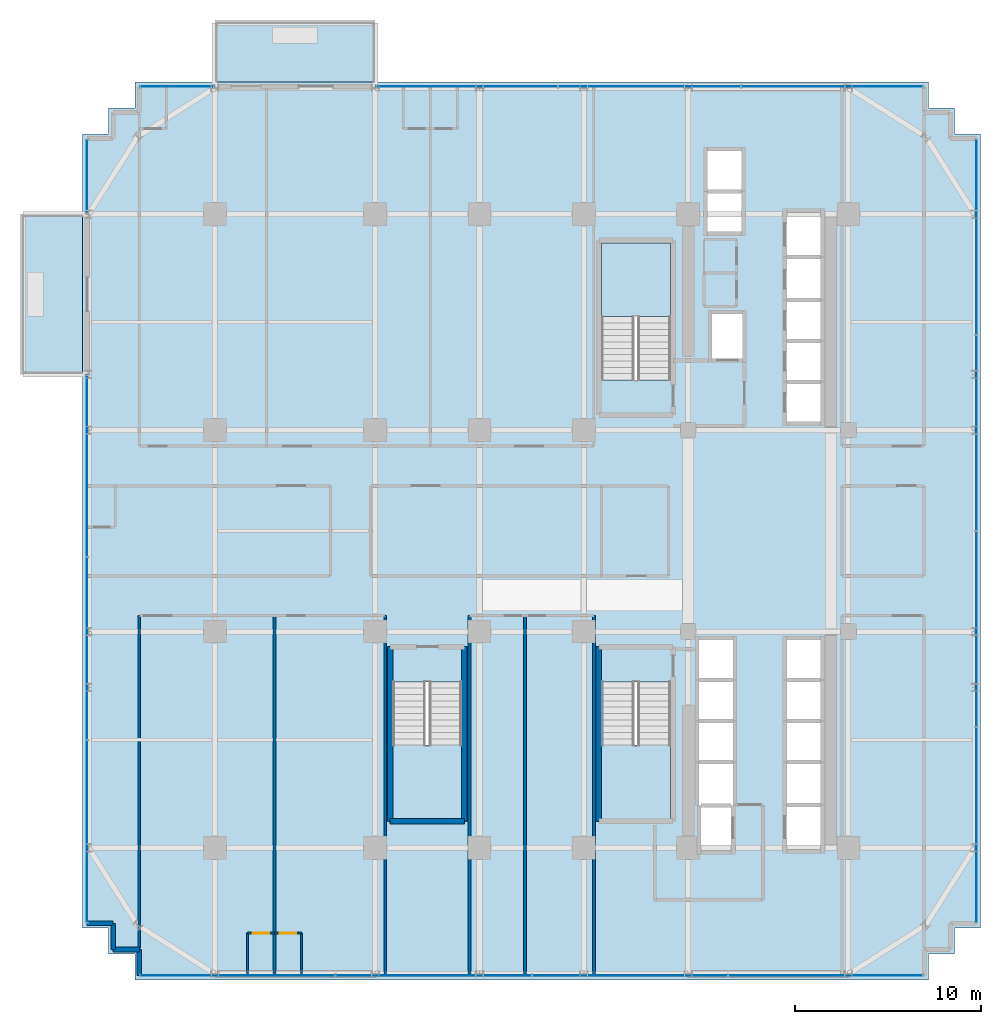
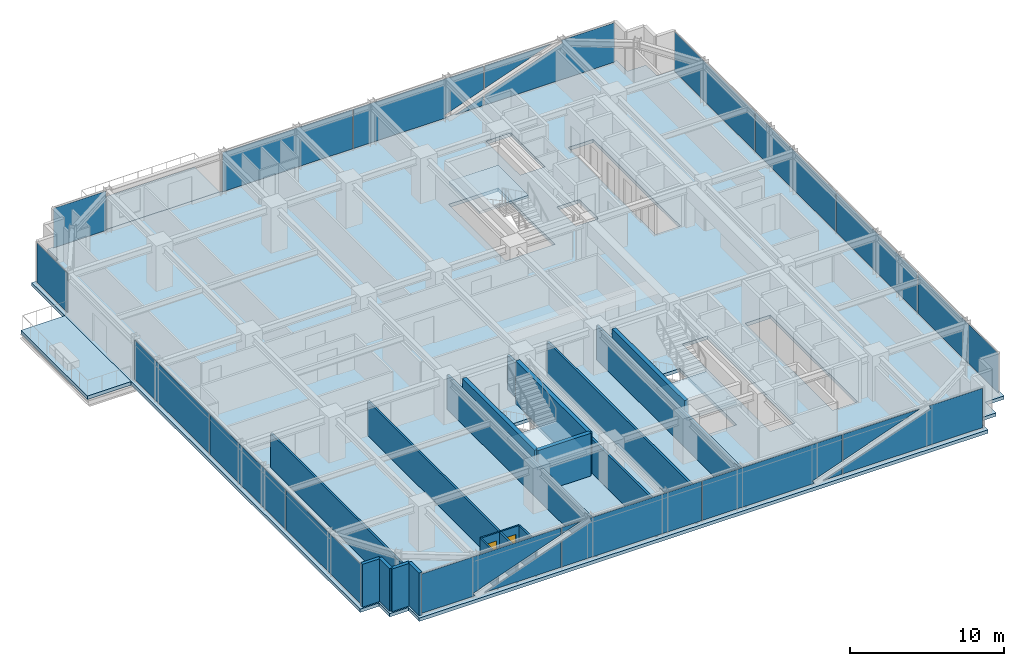
# One storey, part 27 of 35: 18 walls, 16 plates, 6 slabs, 2 doors, 2 openings, 9 elements without a shape of their own.
"""IFC4 building model written with IfcOpenShell, lengths in metres."""

from ifc_helpers import new_model, si_unit, direction, frame, frame_2d, origin, origin_2d, place, context, subcontext, project, spatial, polyline, rectangle, outline, extrude, source, transform, mapped, material, layer, layer_set, type_object, element, fill, aggregate, save


model = new_model("IFC4")

# Units and contexts
model_context = context("Model", 3, precision=1e-05, world=origin(), true_north=direction((0.0, 1.0)))
body_context = subcontext(model_context, "Body", "Model", "MODEL_VIEW")
ifc_project = project(units=[si_unit("LENGTHUNIT", "METRE"), si_unit("AREAUNIT", "SQUARE_METRE"), si_unit("VOLUMEUNIT", "CUBIC_METRE"), si_unit("PLANEANGLEUNIT", "RADIAN"), si_unit("MASSUNIT", "GRAM", prefix="KILO")], contexts=[model_context])

# Site, building, storey
site_placement = place(None, origin())
site = spatial("IfcSite", under=ifc_project, at=site_placement, CompositionType="ELEMENT")
building_placement = place(site_placement, origin())
building = spatial("IfcBuilding", under=site, at=building_placement, Name="Nahalor Promenade Grand Hotel", CompositionType="ELEMENT")
storey_placement = place(building_placement, frame((0.0, 0.0, 106.550048828125)))
storey = spatial("IfcBuildingStorey", under=building, at=storey_placement, Name="L26", CompositionType="ELEMENT", Elevation=106.550048828125)

# Curtain wall, plates
ifc_material_1 = material(Name="Anodised Bronze Aluminium EN AW-6063 T6", Category="aluminium")
curtain_wall_type = type_object("IfcCurtainWallType", Name="CW2 Typical Hotel Flush Bronze Unitised Curtain Wall", PredefinedType="USERDEFINED", material=ifc_material_1)
curtain_wall_1_placement = place(storey_placement, origin())
curtain_wall_1 = element("IfcCurtainWall", 1, at=curtain_wall_1_placement, inside=storey, type_object=curtain_wall_type, Name="L26 Curtain Wall CW-L26-S-1", ObjectType="UNITISED_CURTAIN_WALL", PredefinedType="USERDEFINED")
ifc_material_2 = material(Name="Low-E Laminated Solar Glass", Category="glass")
ifc_layer_1 = layer(ifc_material_2, 0.028076171875)
ifc_layer_set_1 = layer_set([ifc_layer_1], Name="Low-E Laminated Solar Glass")
plate_type = type_object("IfcPlateType", Name="CWP2 Bronze Low-E Vision IGU 28mm", PredefinedType="CURTAIN_PANEL", material=ifc_layer_set_1)
plate_1_placement = place(storey_placement, frame((-15.77880859375, -23.860107421875, 0.1298828125), z_axis=(0.0, 0.0, 1.0), x_axis=(1.0, 0.0, 0.0)))
plate_1 = element("IfcPlate", 2, at=plate_1_placement, type_object=plate_type, Name="CW-L26-S-1 Glazing Panel 0-0", PredefinedType="CURTAIN_PANEL", context=body_context, shape_type="SweptSolid", body=[
    extrude(outline(polyline([(-5.21630859375, 3.1201171875), (-5.21630859375, 0.0), (-1.24072265625, 0.0), (-1.3291015625, 0.246826171875), (5.21630859375, 2.591064453125), (5.21630859375, 3.1201171875), (-5.21630859375, 3.1201171875)])), frame((0.0, 0.01416015625, 0.0), z_axis=(0.0, -1.0, 0.0), x_axis=(1.0, 0.0, 0.0)), (0.0, 0.0, 1.0), 0.028076171875),
    extrude(outline(polyline([(-0.53564453125, 0.0), (5.21630859375, 0.0), (5.21630859375, 2.06005859375), (-0.53564453125, 0.0)])), frame((0.0, 0.01416015625, 0.0), z_axis=(0.0, -1.0, 0.0), x_axis=(1.0, 0.0, 0.0)), (0.0, 0.0, 1.0), 0.028076171875),
])
plate_2_placement = place(storey_placement, frame((-5.264892578125, -23.860107421875, 0.1298828125), z_axis=(0.0, 0.0, 1.0), x_axis=(1.0, 0.0, 0.0)))
plate_2 = element("IfcPlate", 3, at=plate_2_placement, type_object=plate_type, Name="CW-L26-S-1 Glazing Panel 1-0", PredefinedType="CURTAIN_PANEL", context=body_context, shape_type="SweptSolid", body=[
    extrude(outline(polyline([(5.232421875, 0.0), (5.232421875, 3.1201171875), (-3.11572265625, 3.1201171875), (-3.027099609375, 2.873046875), (-5.232421875, 2.083251953125), (-5.232421875, 0.0), (5.232421875, 0.0)])), frame((0.0, 0.01416015625, 0.0), z_axis=(0.0, -1.0, 0.0), x_axis=(1.0, 0.0, 0.0)), (0.0, 0.0, 1.0), 0.028076171875),
    extrude(outline(polyline([(-3.820556640625, 3.1201171875), (-5.232421875, 3.1201171875), (-5.232421875, 2.6142578125), (-3.820556640625, 3.1201171875)])), frame((0.0, 0.01416015625, 0.0), z_axis=(0.0, -1.0, 0.0), x_axis=(1.0, 0.0, 0.0)), (0.0, 0.0, 1.0), 0.028076171875),
])
plate_3_placement = place(storey_placement, frame((5.264892578125, -23.860107421875, 0.1298828125), z_axis=(0.0, 0.0, 1.0), x_axis=(1.0, 0.0, 0.0)))
plate_3 = element("IfcPlate", 4, at=plate_3_placement, type_object=plate_type, Name="CW-L26-S-1 Glazing Panel 2-0", PredefinedType="CURTAIN_PANEL", context=body_context, shape_type="SweptSolid", body=[
    extrude(outline(polyline([(-5.232421875, 3.1201171875), (-5.232421875, 0.0), (3.11572265625, 0.0), (3.027099609375, 0.246826171875), (5.232421875, 1.036865234375), (5.232421875, 3.1201171875), (-5.232421875, 3.1201171875)])), frame((0.0, 0.01416015625, 0.0), z_axis=(0.0, -1.0, 0.0), x_axis=(1.0, 0.0, 0.0)), (0.0, 0.0, 1.0), 0.028076171875),
    extrude(outline(polyline([(3.820556640625, 0.0), (5.232421875, 0.0), (5.232421875, 0.505615234375), (3.820556640625, 0.0)])), frame((0.0, 0.01416015625, 0.0), z_axis=(0.0, -1.0, 0.0), x_axis=(1.0, 0.0, 0.0)), (0.0, 0.0, 1.0), 0.028076171875),
])
plate_4_placement = place(storey_placement, frame((15.77880859375, -23.860107421875, 0.1298828125), z_axis=(0.0, 0.0, 1.0), x_axis=(1.0, 0.0, 0.0)))
plate_4 = element("IfcPlate", 5, at=plate_4_placement, type_object=plate_type, Name="CW-L26-S-1 Glazing Panel 3-0", PredefinedType="CURTAIN_PANEL", context=body_context, shape_type="SweptSolid", body=[
    extrude(outline(polyline([(5.21630859375, 0.0), (5.21630859375, 3.1201171875), (1.24072265625, 3.1201171875), (1.3291015625, 2.873046875), (-5.21630859375, 0.52880859375), (-5.21630859375, 0.0), (5.21630859375, 0.0)])), frame((0.0, 0.01416015625, 0.0), z_axis=(0.0, -1.0, 0.0), x_axis=(1.0, 0.0, 0.0)), (0.0, 0.0, 1.0), 0.028076171875),
    extrude(outline(polyline([(0.53564453125, 3.1201171875), (-5.21630859375, 3.1201171875), (-5.21630859375, 1.06005859375), (0.53564453125, 3.1201171875)])), frame((0.0, 0.01416015625, 0.0), z_axis=(0.0, -1.0, 0.0), x_axis=(1.0, 0.0, 0.0)), (0.0, 0.0, 1.0), 0.028076171875),
])
aggregate(curtain_wall_1, [plate_1, plate_2, plate_3, plate_4])

curtain_wall_2_placement = place(storey_placement, origin())
curtain_wall_2 = element("IfcCurtainWall", 6, at=curtain_wall_2_placement, inside=storey, type_object=curtain_wall_type, Name="L26 Curtain Wall CW-L26-N-3", ObjectType="UNITISED_CURTAIN_WALL", PredefinedType="USERDEFINED")
plate_5_placement = place(storey_placement, frame((6.330078125, 23.860107421875, 0.1298828125), z_axis=(0.0, 0.0, 1.0), x_axis=(1.0, 0.0, 0.0)))
plate_5 = element("IfcPlate", 7, at=plate_5_placement, type_object=plate_type, Name="CW-L26-N-3 Glazing Panel 1-0", PredefinedType="CURTAIN_PANEL", context=body_context, shape_type="SweptSolid", body=[
    extrude(outline(polyline([(-4.87744140625, 3.1201171875), (-4.87744140625, 0.0), (2.050537109375, 0.0), (1.962158203125, 0.246826171875), (4.87744140625, 1.291015625), (4.87744140625, 3.1201171875), (-4.87744140625, 3.1201171875)])), frame((0.0, 0.01416015625, 0.0), z_axis=(0.0, -1.0, 0.0), x_axis=(1.0, 0.0, 0.0)), (0.0, 0.0, 1.0), 0.028076171875),
    extrude(outline(polyline([(2.755615234375, 0.0), (4.87744140625, 0.0), (4.87744140625, 0.760009765625), (2.755615234375, 0.0)])), frame((0.0, 0.01416015625, 0.0), z_axis=(0.0, -1.0, 0.0), x_axis=(1.0, 0.0, 0.0)), (0.0, 0.0, 1.0), 0.028076171875),
])
plate_6_placement = place(storey_placement, frame((16.1337890625, 23.860107421875, 0.1298828125), z_axis=(0.0, 0.0, 1.0), x_axis=(1.0, 0.0, 0.0)))
plate_6 = element("IfcPlate", 8, at=plate_6_placement, type_object=plate_type, Name="CW-L26-N-3 Glazing Panel 2-0", PredefinedType="CURTAIN_PANEL", context=body_context, shape_type="SweptSolid", body=[
    extrude(outline(polyline([(4.861328125, 0.0), (4.861328125, 3.1201171875), (0.8857421875, 3.1201171875), (0.97412109375, 2.873046875), (-4.861328125, 0.783203125), (-4.861328125, 0.0), (4.861328125, 0.0)])), frame((0.0, 0.01416015625, 0.0), z_axis=(0.0, -1.0, 0.0), x_axis=(1.0, 0.0, 0.0)), (0.0, 0.0, 1.0), 0.028076171875),
    extrude(outline(polyline([(0.1806640625, 3.1201171875), (-4.861328125, 3.1201171875), (-4.861328125, 1.314208984375), (0.1806640625, 3.1201171875)])), frame((0.0, 0.01416015625, 0.0), z_axis=(0.0, -1.0, 0.0), x_axis=(1.0, 0.0, 0.0)), (0.0, 0.0, 1.0), 0.028076171875),
])

# Stair, slab
ifc_material_3 = material(Name="Concrete B-50 (C40/50)", Category="concrete")
stair_type_1 = type_object("IfcStairType", Name="Stair-ST1", PredefinedType="HALF_TURN_STAIR", material=ifc_material_3)
stair_1_placement = place(storey_placement, origin())
stair_1 = element("IfcStair", 9, at=stair_1_placement, inside=storey, type_object=stair_type_1, Name="L26 ST1", PredefinedType="HALF_TURN_STAIR")
ifc_layer_2 = layer(ifc_material_3, 0.199951171875)
ifc_layer_set_2 = layer_set([ifc_layer_2], Name="Concrete B-50 (C40/50)")
slab_type_1 = type_object("IfcSlabType", Name="Landing-ST1", PredefinedType="LANDING", material=ifc_layer_set_2)
slab_1_placement = place(storey_placement, frame((0.0, 0.0, 1.625)))
slab_1 = element("IfcSlab", 10, at=slab_1_placement, type_object=slab_type_1, Name="ST1 landing 1", PredefinedType="LANDING", context=body_context, shape_type="SweptSolid", body=[
    extrude(outline(polyline([(7.449951171875, 11.5), (7.449951171875, 15.449951171875), (3.75, 15.449951171875), (3.75, 11.5), (7.449951171875, 11.5)])), origin(), (0.0, 0.0, 1.0), 0.199951171875),
])
aggregate(stair_1, [slab_1])

stair_type_2 = type_object("IfcStairType", Name="Stair-ST2", PredefinedType="HALF_TURN_STAIR", material=ifc_material_3)
stair_2_placement = place(storey_placement, origin())
stair_2 = element("IfcStair", 11, at=stair_2_placement, inside=storey, type_object=stair_type_2, Name="L26 ST2", PredefinedType="HALF_TURN_STAIR")
ifc_layer_3 = layer(ifc_material_3, 0.2099609375)
ifc_layer_set_3 = layer_set([ifc_layer_3], Name="Concrete B-50 (C40/50)")
slab_type_2 = type_object("IfcSlabType", Name="Landing-ST2", PredefinedType="LANDING", material=ifc_layer_set_3)
slab_2_placement = place(storey_placement, frame((0.0, 0.0, 1.614990234375)))
slab_2 = element("IfcSlab", 12, at=slab_2_placement, type_object=slab_type_2, Name="ST2 landing 1", PredefinedType="LANDING", context=body_context, shape_type="SweptSolid", body=[
    extrude(outline(polyline([(3.75, -11.5), (3.75, -15.449951171875), (7.449951171875, -15.449951171875), (7.449951171875, -11.5), (3.75, -11.5)])), origin(), (0.0, 0.0, 1.0), 0.2099609375),
])
aggregate(stair_2, [slab_2])

stair_type_3 = type_object("IfcStairType", Name="Stair-ST3", PredefinedType="HALF_TURN_STAIR", material=ifc_material_3)
stair_3_placement = place(storey_placement, origin())
stair_3 = element("IfcStair", 13, at=stair_3_placement, inside=storey, type_object=stair_type_3, Name="L26 ST3", PredefinedType="HALF_TURN_STAIR")
ifc_layer_4 = layer(ifc_material_3, 0.219970703125)
ifc_layer_set_4 = layer_set([ifc_layer_4], Name="Concrete B-50 (C40/50)")
slab_type_3 = type_object("IfcSlabType", Name="Landing-ST3", PredefinedType="LANDING", material=ifc_layer_set_4)
slab_3_placement = place(storey_placement, frame((0.0, 0.0, 1.60498046875)))
slab_3 = element("IfcSlab", 14, at=slab_3_placement, type_object=slab_type_3, Name="ST3 landing 1", PredefinedType="LANDING", context=body_context, shape_type="SweptSolid", body=[
    extrude(outline(polyline([(-7.449951171875, -11.5), (-7.449951171875, -15.449951171875), (-3.75, -15.449951171875), (-3.75, -11.5), (-7.449951171875, -11.5)])), origin(), (0.0, 0.0, 1.0), 0.219970703125),
])
aggregate(stair_3, [slab_3])

# Slabs
ifc_layer_5 = layer(ifc_material_3, 0.280029296875)
ifc_layer_set_5 = layer_set([ifc_layer_5], Name="Concrete B-50 (C40/50)")
slab_type_4 = type_object("IfcSlabType", Name="Slab-Balcony-280", PredefinedType="FLOOR", material=ifc_layer_set_5)
slab_4_placement = place(storey_placement, frame((0.0, 0.0, -0.280029296875)))
element("IfcSlab", 15, at=slab_4_placement, inside=storey, type_object=slab_type_4, Name="L26 Cantilevered Planted Balcony 1", PredefinedType="FLOOR", context=body_context, shape_type="SweptSolid", body=[
    extrude(outline(polyline([(-17.0, 24.10009765625), (-8.39990234375, 24.10009765625), (-8.39990234375, 27.35009765625), (-17.0, 27.35009765625), (-17.0, 24.10009765625)])), origin(), (0.0, 0.0, 1.0), 0.280029296875),
])
slab_5_placement = place(storey_placement, frame((0.0, 0.0, -0.280029296875)))
element("IfcSlab", 16, at=slab_5_placement, inside=storey, type_object=slab_type_4, Name="L26 Cantilevered Planted Balcony 2", PredefinedType="FLOOR", context=body_context, shape_type="SweptSolid", body=[
    extrude(outline(polyline([(-27.389892578125, 8.39990234375), (-24.10009765625, 8.39990234375), (-24.10009765625, 17.0), (-27.389892578125, 17.0), (-27.389892578125, 8.39990234375)])), origin(), (0.0, 0.0, 1.0), 0.280029296875),
])
ifc_layer_6 = layer(ifc_material_3, 0.27001953125)
ifc_layer_set_6 = layer_set([ifc_layer_6], Name="Concrete B-50 (C40/50)")
slab_type_5 = type_object("IfcSlabType", Name="Slab-TowerZ2-270", PredefinedType="FLOOR", material=ifc_layer_set_6)
slab_6_placement = place(storey_placement, frame((0.0, 0.0, -0.27001953125)))
element("IfcSlab", 17, at=slab_6_placement, inside=storey, type_object=slab_type_5, Name="L26 Suspended Structural Floor Slab", PredefinedType="FLOOR", context=body_context, shape_type="SweptSolid", body=[
    extrude(outline(polyline([(-21.300048828125, -24.10009765625), (21.300048828125, -24.10009765625), (21.300048828125, -22.699951171875), (22.699951171875, -22.699951171875), (22.699951171875, -21.300048828125), (24.10009765625, -21.300048828125), (24.10009765625, 21.300048828125), (22.699951171875, 21.300048828125), (22.699951171875, 22.699951171875), (21.300048828125, 22.699951171875), (21.300048828125, 24.10009765625), (-21.300048828125, 24.10009765625), (-21.300048828125, 22.699951171875), (-22.699951171875, 22.699951171875), (-22.699951171875, 21.300048828125), (-24.10009765625, 21.300048828125), (-24.10009765625, -21.300048828125), (-22.699951171875, -21.300048828125), (-22.699951171875, -22.699951171875), (-21.300048828125, -22.699951171875), (-21.300048828125, -24.10009765625)]), holes=[polyline([(3.75, 8.10009765625), (7.449951171875, 8.10009765625), (7.449951171875, 15.449951171875), (3.75, 15.449951171875), (3.75, 8.10009765625)]), polyline([(3.75, -15.449951171875), (7.449951171875, -15.449951171875), (7.449951171875, -8.10009765625), (3.75, -8.10009765625), (3.75, -15.449951171875)]), polyline([(-7.449951171875, -15.449951171875), (-3.75, -15.449951171875), (-3.75, -8.10009765625), (-7.449951171875, -8.10009765625), (-7.449951171875, -15.449951171875)]), polyline([(13.659912109375, 5.81005859375), (15.5400390625, 5.81005859375), (15.5400390625, 17.139892578125), (13.659912109375, 17.139892578125), (13.659912109375, 5.81005859375)]), polyline([(13.659912109375, -17.139892578125), (15.5400390625, -17.139892578125), (15.5400390625, -5.81005859375), (13.659912109375, -5.81005859375), (13.659912109375, -17.139892578125)]), polyline([(8.9599609375, -17.18994140625), (10.840087890625, -17.18994140625), (10.840087890625, -5.81005859375), (8.9599609375, -5.81005859375), (8.9599609375, -17.18994140625)]), polyline([(9.409912109375, 16.010009765625), (11.2900390625, 16.010009765625), (11.2900390625, 20.43994140625), (9.409912109375, 20.43994140625), (9.409912109375, 16.010009765625)]), polyline([(9.659912109375, 9.2099609375), (11.340087890625, 9.2099609375), (11.340087890625, 11.68994140625), (9.659912109375, 11.68994140625), (9.659912109375, 9.2099609375)])]), origin(), (0.0, 0.0, 1.0), 0.27001953125),
])

# Curtain wall, plate
curtain_wall_3_placement = place(storey_placement, origin())
curtain_wall_3 = element("IfcCurtainWall", 18, at=curtain_wall_3_placement, inside=storey, type_object=curtain_wall_type, Name="L26 Curtain Wall CW-L26-N-1", ObjectType="UNITISED_CURTAIN_WALL", PredefinedType="USERDEFINED")
shared_shape_1 = source(origin(), body_context, "Body", "SweptSolid", [
    extrude(rectangle(XDim=3.929931640625, YDim=0.028076171875, at=origin_2d()), origin(), (0.0, 0.0, 1.0), 3.1201171875),
])
plate_7_placement = place(storey_placement, frame((-19.030029296875, 23.860107421875, 0.1298828125), z_axis=(0.0, 0.0, 1.0), x_axis=(1.0, 0.0, 0.0)))
plate_7 = element("IfcPlate", 19, at=plate_7_placement, type_object=plate_type, Name="CW-L26-N-1 Glazing Panel 0-0", PredefinedType="CURTAIN_PANEL", context=body_context, shape_type="MappedRepresentation", body=[
    mapped(shared_shape_1, transform((0.0, 0.0, 0.0), scale=1.0)),
])
aggregate(curtain_wall_3, [plate_7])

curtain_wall_4_placement = place(storey_placement, origin())
curtain_wall_4 = element("IfcCurtainWall", 20, at=curtain_wall_4_placement, inside=storey, type_object=curtain_wall_type, Name="L26 Curtain Wall CW-L26-W-3", ObjectType="UNITISED_CURTAIN_WALL", PredefinedType="USERDEFINED")
plate_8_placement = place(storey_placement, frame((-23.860107421875, 19.030029296875, 0.1298828125), z_axis=(0.0, 0.0, 1.0), x_axis=(0.0, 1.0, 0.0)))
plate_8 = element("IfcPlate", 21, at=plate_8_placement, type_object=plate_type, Name="CW-L26-W-3 Glazing Panel 0-0", PredefinedType="CURTAIN_PANEL", context=body_context, shape_type="MappedRepresentation", body=[
    mapped(shared_shape_1, transform((0.0, 0.0, 0.0), scale=1.0)),
])
aggregate(curtain_wall_4, [plate_8])

# Plate
shared_shape_2 = source(origin(), body_context, "Body", "SweptSolid", [
    extrude(rectangle(XDim=9.722412109375, YDim=0.028076171875, at=origin_2d()), origin(), (0.0, 0.0, 1.0), 3.1201171875),
])
plate_9_placement = place(storey_placement, frame((-3.4736328125, 23.860107421875, 0.1298828125), z_axis=(0.0, 0.0, 1.0), x_axis=(1.0, 0.0, 0.0)))
plate_9 = element("IfcPlate", 22, at=plate_9_placement, type_object=plate_type, Name="CW-L26-N-3 Glazing Panel 0-0", PredefinedType="CURTAIN_PANEL", context=body_context, shape_type="MappedRepresentation", body=[
    mapped(shared_shape_2, transform((0.0, 0.0, 0.0), scale=1.0)),
])

aggregate(curtain_wall_2, [plate_9, plate_5, plate_6])

# Curtain wall, plates
curtain_wall_5_placement = place(storey_placement, origin())
curtain_wall_5 = element("IfcCurtainWall", 23, at=curtain_wall_5_placement, inside=storey, type_object=curtain_wall_type, Name="L26 Curtain Wall CW-L26-W-1", ObjectType="UNITISED_CURTAIN_WALL", PredefinedType="USERDEFINED")
plate_10_placement = place(storey_placement, frame((-23.860107421875, -16.1337890625, 0.1298828125), z_axis=(0.0, 0.0, 1.0), x_axis=(0.0, 1.0, 0.0)))
plate_10 = element("IfcPlate", 24, at=plate_10_placement, type_object=plate_type, Name="CW-L26-W-1 Glazing Panel 0-0", PredefinedType="CURTAIN_PANEL", context=body_context, shape_type="MappedRepresentation", body=[
    mapped(shared_shape_2, transform((0.0, 0.0, 0.0), scale=1.0)),
])
plate_11_placement = place(storey_placement, frame((-23.860107421875, 3.4736328125, 0.1298828125), z_axis=(0.0, 0.0, 1.0), x_axis=(0.0, 1.0, 0.0)))
plate_11 = element("IfcPlate", 25, at=plate_11_placement, type_object=plate_type, Name="CW-L26-W-1 Glazing Panel 2-0", PredefinedType="CURTAIN_PANEL", context=body_context, shape_type="MappedRepresentation", body=[
    mapped(shared_shape_2, transform((0.0, 0.0, 0.0), scale=1.0)),
])
shared_shape_3 = source(origin(), body_context, "Body", "SweptSolid", [
    extrude(rectangle(XDim=9.7548828125, YDim=0.028076171875, at=origin_2d()), origin(), (0.0, 0.0, 1.0), 3.1201171875),
])
plate_12_placement = place(storey_placement, frame((-23.860107421875, -6.330078125, 0.1298828125), z_axis=(0.0, 0.0, 1.0), x_axis=(0.0, 1.0, 0.0)))
plate_12 = element("IfcPlate", 26, at=plate_12_placement, type_object=plate_type, Name="CW-L26-W-1 Glazing Panel 1-0", PredefinedType="CURTAIN_PANEL", context=body_context, shape_type="MappedRepresentation", body=[
    mapped(shared_shape_3, transform((0.0, 0.0, 0.0), scale=1.0)),
])
aggregate(curtain_wall_5, [plate_10, plate_12, plate_11])

curtain_wall_6_placement = place(storey_placement, origin())
curtain_wall_6 = element("IfcCurtainWall", 27, at=curtain_wall_6_placement, inside=storey, type_object=curtain_wall_type, Name="L26 Curtain Wall CW-L26-E-1", ObjectType="UNITISED_CURTAIN_WALL", PredefinedType="USERDEFINED")
shared_shape_4 = source(origin(), body_context, "Body", "SweptSolid", [
    extrude(rectangle(XDim=10.4326171875, YDim=0.028076171875, at=origin_2d()), origin(), (0.0, 0.0, 1.0), 3.1201171875),
])
plate_13_placement = place(storey_placement, frame((23.860107421875, -15.77880859375, 0.1298828125), z_axis=(0.0, 0.0, 1.0), x_axis=(0.0, 1.0, 0.0)))
plate_13 = element("IfcPlate", 28, at=plate_13_placement, type_object=plate_type, Name="CW-L26-E-1 Glazing Panel 0-0", PredefinedType="CURTAIN_PANEL", context=body_context, shape_type="MappedRepresentation", body=[
    mapped(shared_shape_4, transform((0.0, 0.0, 0.0), scale=1.0)),
])
plate_14_placement = place(storey_placement, frame((23.860107421875, 15.77880859375, 0.1298828125), z_axis=(0.0, 0.0, 1.0), x_axis=(0.0, 1.0, 0.0)))
plate_14 = element("IfcPlate", 29, at=plate_14_placement, type_object=plate_type, Name="CW-L26-E-1 Glazing Panel 3-0", PredefinedType="CURTAIN_PANEL", context=body_context, shape_type="MappedRepresentation", body=[
    mapped(shared_shape_4, transform((0.0, 0.0, 0.0), scale=1.0)),
])
shared_shape_5 = source(origin(), body_context, "Body", "SweptSolid", [
    extrude(rectangle(XDim=10.465087890625, YDim=0.028076171875, at=origin_2d()), origin(), (0.0, 0.0, 1.0), 3.1201171875),
])
plate_15_placement = place(storey_placement, frame((23.860107421875, -5.264892578125, 0.1298828125), z_axis=(0.0, 0.0, 1.0), x_axis=(0.0, 1.0, 0.0)))
plate_15 = element("IfcPlate", 30, at=plate_15_placement, type_object=plate_type, Name="CW-L26-E-1 Glazing Panel 1-0", PredefinedType="CURTAIN_PANEL", context=body_context, shape_type="MappedRepresentation", body=[
    mapped(shared_shape_5, transform((0.0, 0.0, 0.0), scale=1.0)),
])
plate_16_placement = place(storey_placement, frame((23.860107421875, 5.264892578125, 0.1298828125), z_axis=(0.0, 0.0, 1.0), x_axis=(0.0, 1.0, 0.0)))
plate_16 = element("IfcPlate", 31, at=plate_16_placement, type_object=plate_type, Name="CW-L26-E-1 Glazing Panel 2-0", PredefinedType="CURTAIN_PANEL", context=body_context, shape_type="MappedRepresentation", body=[
    mapped(shared_shape_5, transform((0.0, 0.0, 0.0), scale=1.0)),
])
aggregate(curtain_wall_6, [plate_13, plate_15, plate_16, plate_14])

# Walls
ifc_layer_7 = layer(ifc_material_3, 0.300048828125)
ifc_layer_set_7 = layer_set([ifc_layer_7], Name="Concrete B-50 (C40/50)")
wall_type_1 = type_object("IfcWallType", Name="Wall-ShaftShear-300", PredefinedType="SHEAR", material=ifc_layer_set_7)
shared_shape_6 = source(origin(), body_context, "Body", "SweptSolid", [
    extrude(rectangle(XDim=3.97998046875, YDim=0.300048828125, at=frame_2d((1.989990234375, 0.0))), origin(), (0.0, 0.0, 1.0), 3.3798828125),
])
wall_1_placement = place(storey_placement, frame((-7.590087890625, -15.590087890625, 0.0), z_axis=(0.0, 0.0, 1.0), x_axis=(1.0, 0.0, 0.0)))
element("IfcWall", 32, at=wall_1_placement, inside=storey, type_object=wall_type_1, Name="L26 Exit Stair ST3 Shaft Wall S", PredefinedType="SHEAR", context=body_context, shape_type="MappedRepresentation", body=[
    mapped(shared_shape_6, transform((0.0, 0.0, 0.0), scale=1.0)),
])
shared_shape_7 = source(origin(), body_context, "Body", "SweptSolid", [
    extrude(rectangle(XDim=9.380126953125, YDim=0.300048828125, at=frame_2d((4.68994140625, 0.0))), origin(), (0.0, 0.0, 1.0), 3.3798828125),
])
for number, where, z_axis, x_axis, name in (
    (33, (3.610107421875, -15.590087890625, 0.0), (0.0, 0.0, 1.0), (0.0, 1.0, 0.0), "L26 Exit Stair ST2 Shaft Wall W"),
    (34, (-7.590087890625, -15.590087890625, 0.0), (0.0, 0.0, 1.0), (0.0, 1.0, 0.0), "L26 Exit Stair ST3 Shaft Wall W"),
    (35, (-3.610107421875, -15.590087890625, 0.0), (0.0, 0.0, 1.0), (0.0, 1.0, 0.0), "L26 Exit Stair ST3 Shaft Wall E"),
):
    element("IfcWall", number, at=place(storey_placement, frame(where, z_axis=z_axis, x_axis=x_axis)), inside=storey, type_object=wall_type_1, Name=name, PredefinedType="SHEAR", context=body_context, shape_type="MappedRepresentation", body=[
        mapped(shared_shape_7, transform((0.0, 0.0, 0.0), scale=1.0)),
    ])
ifc_material_4 = material(Name="Concrete B-40 (C32/40)", Category="concrete")
ifc_layer_8 = layer(ifc_material_4, 0.25)
ifc_layer_set_8 = layer_set([ifc_layer_8], Name="Concrete B-40 (C32/40)")
wall_type_2 = type_object("IfcWallType", Name="Wall-BronzePier-250", PredefinedType="STANDARD", material=ifc_layer_set_8)
shared_shape_8 = source(origin(), body_context, "Body", "SweptSolid", [
    extrude(rectangle(XDim=1.400146484375, YDim=0.25, at=frame_2d((0.7001953125, 0.0))), origin(), (0.0, 0.0, 1.0), 3.3798828125),
])
for number, where, z_axis, x_axis, name in (
    (36, (-23.860107421875, -21.06005859375, 0.0), (0.0, 0.0, 1.0), (1.0, 0.0, 0.0), "W-L26-SR-13"),
    (37, (-21.06005859375, -23.860107421875, 0.0), (0.0, 0.0, 1.0), (0.0, 1.0, 0.0), "W-L26-SR-16"),
):
    element("IfcWall", number, at=place(storey_placement, frame(where, z_axis=z_axis, x_axis=x_axis)), inside=storey, type_object=wall_type_2, Name=name, PredefinedType="STANDARD", context=body_context, shape_type="MappedRepresentation", body=[
        mapped(shared_shape_8, transform((0.0, 0.0, 0.0), scale=1.0)),
    ])
shared_shape_9 = source(origin(), body_context, "Body", "SweptSolid", [
    extrude(rectangle(XDim=1.39990234375, YDim=0.25, at=frame_2d((0.699951171875, 0.0))), origin(), (0.0, 0.0, 1.0), 3.3798828125),
])
for number, where, z_axis, x_axis, name in (
    (38, (-22.4599609375, -22.4599609375, 0.0), (0.0, 0.0, 1.0), (0.0, 1.0, 0.0), "W-L26-SR-14"),
    (39, (-22.4599609375, -22.4599609375, 0.0), (0.0, 0.0, 1.0), (1.0, 0.0, 0.0), "W-L26-SR-15"),
):
    element("IfcWall", number, at=place(storey_placement, frame(where, z_axis=z_axis, x_axis=x_axis)), inside=storey, type_object=wall_type_2, Name=name, PredefinedType="STANDARD", context=body_context, shape_type="MappedRepresentation", body=[
        mapped(shared_shape_9, transform((0.0, 0.0, 0.0), scale=1.0)),
    ])
ifc_material_5 = material(Name="Acoustic Mineral Gypsum", Category="gypsum")
ifc_layer_9 = layer(ifc_material_5, 0.159912109375)
ifc_layer_set_9 = layer_set([ifc_layer_9], Name="Acoustic Mineral Gypsum")
wall_type_3 = type_object("IfcWallType", Name="Wall-PartCorridor-160", PredefinedType="PARTITIONING", material=ifc_layer_set_9)
shared_shape_10 = source(origin(), body_context, "Body", "SweptSolid", [
    extrude(rectangle(XDim=19.25, YDim=0.159912109375, at=frame_2d((9.625, 0.0))), origin(), (0.0, 0.0, 1.0), 2.719970703125),
])
for number, where, z_axis, x_axis, name in (
    (40, (-3.340087890625, -23.800048828125, 0.0), (0.0, 0.0, 1.0), (0.0, 1.0, 0.0), "W-L26-SCB1-W"),
    (41, (-0.35009765625, -23.800048828125, 0.0), (0.0, 0.0, 1.0), (0.0, 1.0, 0.0), "W-L26-SCB1-E"),
    (42, (3.340087890625, -23.800048828125, 0.0), (0.0, 0.0, 1.0), (0.0, 1.0, 0.0), "W-L26-SCB2-E"),
):
    element("IfcWall", number, at=place(storey_placement, frame(where, z_axis=z_axis, x_axis=x_axis)), inside=storey, type_object=wall_type_3, Name=name, PredefinedType="PARTITIONING", context=body_context, shape_type="MappedRepresentation", body=[
        mapped(shared_shape_10, transform((0.0, 0.0, 0.0), scale=1.0)),
    ])
ifc_layer_10 = layer(ifc_material_5, 0.139892578125)
ifc_layer_set_10 = layer_set([ifc_layer_10], Name="Acoustic Mineral Gypsum")
wall_type_4 = type_object("IfcWallType", Name="Wall-PartSuite-140", PredefinedType="PARTITIONING", material=ifc_layer_set_10)
shared_shape_11 = source(origin(), body_context, "Body", "SweptSolid", [
    extrude(rectangle(XDim=17.829833984375, YDim=0.139892578125, at=frame_2d((8.9150390625, 0.0))), origin(), (0.0, 0.0, 1.0), 2.719970703125),
])
wall_2_placement = place(storey_placement, frame((-21.06005859375, -22.3798828125, 0.0), z_axis=(0.0, 0.0, 1.0), x_axis=(0.0, 1.0, 0.0)))
element("IfcWall", 43, at=wall_2_placement, inside=storey, type_object=wall_type_4, Name="W-L26-SW-ENDW", PredefinedType="PARTITIONING", context=body_context, shape_type="MappedRepresentation", body=[
    mapped(shared_shape_11, transform((0.0, 0.0, 0.0), scale=1.0)),
])
shared_shape_12 = source(origin(), body_context, "Body", "SweptSolid", [
    extrude(rectangle(XDim=19.25, YDim=0.139892578125, at=frame_2d((9.625, 0.0))), origin(), (0.0, 0.0, 1.0), 2.719970703125),
])
for number, where, z_axis, x_axis, name in (
    (44, (-7.860107421875, -23.800048828125, 0.0), (0.0, 0.0, 1.0), (0.0, 1.0, 0.0), "W-L26-SW-ENDE"),
    (45, (-13.800048828125, -23.800048828125, 0.0), (0.0, 0.0, 1.0), (0.0, 1.0, 0.0), "W-L26-SP-1"),
):
    element("IfcWall", number, at=place(storey_placement, frame(where, z_axis=z_axis, x_axis=x_axis)), inside=storey, type_object=wall_type_4, Name=name, PredefinedType="PARTITIONING", context=body_context, shape_type="MappedRepresentation", body=[
        mapped(shared_shape_12, transform((0.0, 0.0, 0.0), scale=1.0)),
    ])
ifc_layer_11 = layer(ifc_material_5, 0.1201171875)
ifc_layer_set_11 = layer_set([ifc_layer_11], Name="Acoustic Mineral Gypsum")
wall_type_5 = type_object("IfcWallType", Name="Wall-PartBath-120", PredefinedType="PARTITIONING", material=ifc_layer_set_11)
shared_shape_13 = source(origin(), body_context, "Body", "SweptSolid", [
    extrude(rectangle(XDim=2.219970703125, YDim=0.1201171875, at=frame_2d((1.10986328125, 0.0))), origin(), (0.0, 0.0, 1.0), 2.719970703125),
])
for number, where, z_axis, x_axis, name in (
    (46, (-15.25, -23.800048828125, 0.0), (0.0, 0.0, 1.0), (0.0, 1.0, 0.0), "W-L26-S1-BV"),
    (47, (-12.35009765625, -23.800048828125, 0.0), (0.0, 0.0, 1.0), (0.0, 1.0, 0.0), "W-L26-S2-BV"),
):
    element("IfcWall", number, at=place(storey_placement, frame(where, z_axis=z_axis, x_axis=x_axis)), inside=storey, type_object=wall_type_5, Name=name, PredefinedType="PARTITIONING", context=body_context, shape_type="MappedRepresentation", body=[
        mapped(shared_shape_13, transform((0.0, 0.0, 0.0), scale=1.0)),
    ])

# Wall, opening, door
shared_shape_14 = source(origin(), body_context, "Body", "SweptSolid", [
    extrude(rectangle(XDim=1.449951171875, YDim=0.1201171875, at=frame_2d((0.72509765625, 0.0))), origin(), (0.0, 0.0, 1.0), 2.719970703125),
])
wall_3_placement = place(storey_placement, frame((-15.25, -21.580078125, 0.0), z_axis=(0.0, 0.0, 1.0), x_axis=(1.0, 0.0, 0.0)))
wall_3 = element("IfcWall", 48, at=wall_3_placement, inside=storey, type_object=wall_type_5, Name="W-L26-S1-BH", PredefinedType="PARTITIONING", context=body_context, shape_type="MappedRepresentation", body=[
    mapped(shared_shape_14, transform((0.0, 0.0, 0.0), scale=1.0)),
])
opening_1_placement = place(wall_3_placement, frame((0.284912109375, 0.0, 0.0)))
opening_1 = element("IfcOpeningElement", 49, at=opening_1_placement, cuts=wall_3, Name="Opening D-03", PredefinedType="OPENING", context=body_context, shape_type="SweptSolid", body=[
    extrude(rectangle(XDim=0.8798828125, YDim=2.10009765625, at=frame_2d((0.43994140625, 1.050048828125))), frame((0.0, 0.070068359375, 0.0), z_axis=(0.0, -1.0, 0.0), x_axis=(1.0, 0.0, 0.0)), (0.0, 0.0, 1.0), 0.14013671875),
])
ifc_material_6 = material(Name="Fire-Rated Timber Composite", Category="wood")
door_type = type_object("IfcDoorType", Name="Door-BathSwing-880", OperationType="NOTDEFINED", PredefinedType="DOOR", material=ifc_material_6)
shared_shape_15 = source(origin(), body_context, "Body", "SweptSolid", [
    extrude(rectangle(XDim=0.8798828125, YDim=2.10009765625, at=frame_2d((0.43994140625, 1.050048828125))), frame((0.0, 0.02490234375, 0.0), z_axis=(0.0, -1.0, 0.0), x_axis=(1.0, 0.0, 0.0)), (0.0, 0.0, 1.0), 0.050048828125),
])
door_1_placement = place(opening_1_placement, frame((0.8798828125, 0.0, 0.0), z_axis=(0.0, 0.0, 1.0), x_axis=(-1.0, 0.0, 0.0)))
door_1 = element("IfcDoor", 50, at=door_1_placement, inside=storey, type_object=door_type, Name="DR-L26-S1-BATH", OperationType="SINGLE_SWING_LEFT", OverallHeight=2.10009765625, OverallWidth=0.8798828125, PredefinedType="DOOR", context=body_context, shape_type="MappedRepresentation", body=[
    mapped(shared_shape_15, transform((0.0, 0.0, 0.0), scale=1.0)),
])
fill(opening_1, door_1)

wall_4_placement = place(storey_placement, frame((-13.800048828125, -21.580078125, 0.0), z_axis=(0.0, 0.0, 1.0), x_axis=(1.0, 0.0, 0.0)))
wall_4 = element("IfcWall", 51, at=wall_4_placement, inside=storey, type_object=wall_type_5, Name="W-L26-S2-BH", PredefinedType="PARTITIONING", context=body_context, shape_type="MappedRepresentation", body=[
    mapped(shared_shape_14, transform((0.0, 0.0, 0.0), scale=1.0)),
])
opening_2_placement = place(wall_4_placement, frame((0.284912109375, 0.0, 0.0)))
opening_2 = element("IfcOpeningElement", 52, at=opening_2_placement, cuts=wall_4, Name="Opening D-03", PredefinedType="OPENING", context=body_context, shape_type="SweptSolid", body=[
    extrude(rectangle(XDim=0.8798828125, YDim=2.10009765625, at=frame_2d((0.43994140625, 1.050048828125))), frame((0.0, 0.070068359375, 0.0), z_axis=(0.0, -1.0, 0.0), x_axis=(1.0, 0.0, 0.0)), (0.0, 0.0, 1.0), 0.14013671875),
])
door_2_placement = place(opening_2_placement, frame((0.8798828125, 0.0, 0.0), z_axis=(0.0, 0.0, 1.0), x_axis=(-1.0, 0.0, 0.0)))
door_2 = element("IfcDoor", 53, at=door_2_placement, inside=storey, type_object=door_type, Name="DR-L26-S2-BATH", OperationType="SINGLE_SWING_RIGHT", OverallHeight=2.10009765625, OverallWidth=0.8798828125, PredefinedType="DOOR", context=body_context, shape_type="MappedRepresentation", body=[
    mapped(shared_shape_15, transform((0.0, 0.0, 0.0), scale=1.0)),
])
fill(opening_2, door_2)

save(model, "model.ifc")
